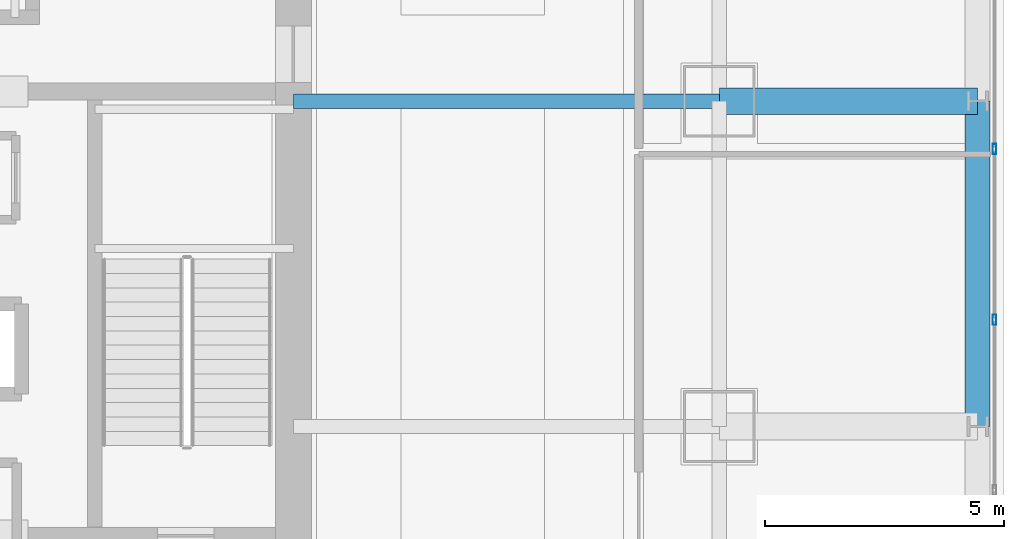
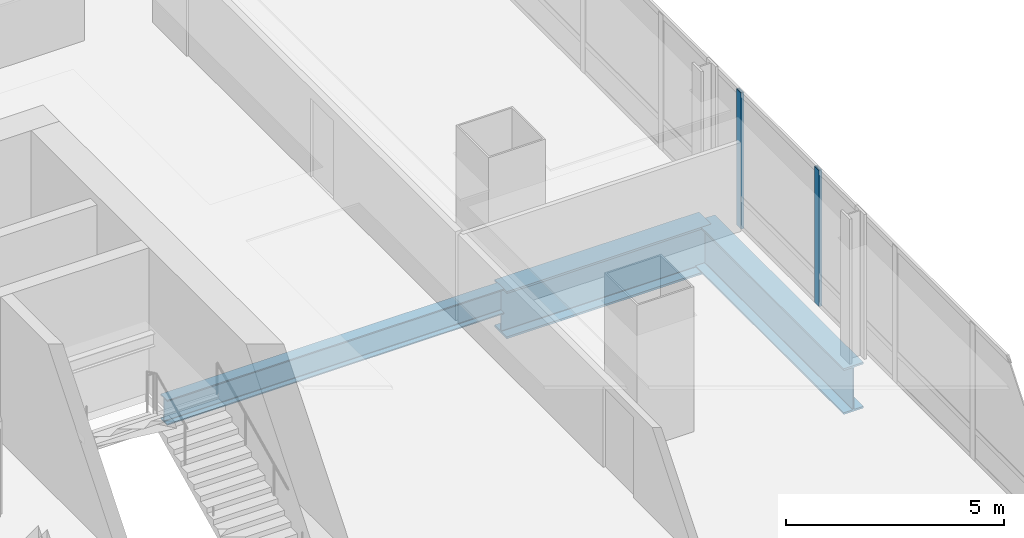
# One storey, part 16 of 34: 3 beams, 2 members, 1 element without a shape of its own.
"""IFC4 building model written with IfcOpenShell, lengths in metres."""

from ifc_helpers import new_model, si_unit, direction, frame, origin, origin_2d, place, context, subcontext, project, spatial, hollow_rectangle, i_section, extrude, material, material_profile, profile_set, type_object, element, aggregate, save


model = new_model("IFC4")

# Units and contexts
model_context = context("Model", 3, precision=1e-05, world=origin(), true_north=direction((0.0, 1.0)))
body_context = subcontext(model_context, "Body", "Model", "MODEL_VIEW")
ifc_project = project(units=[si_unit("LENGTHUNIT", "METRE"), si_unit("AREAUNIT", "SQUARE_METRE"), si_unit("VOLUMEUNIT", "CUBIC_METRE"), si_unit("PLANEANGLEUNIT", "RADIAN"), si_unit("MASSUNIT", "GRAM", prefix="KILO")], contexts=[model_context])

# Site, building, storey
site_placement = place(None, origin())
site = spatial("IfcSite", under=ifc_project, at=site_placement, CompositionType="ELEMENT")
building_placement = place(site_placement, origin())
building = spatial("IfcBuilding", under=site, at=building_placement, Name="Punatoya Terracotta Tower", CompositionType="ELEMENT")
storey_placement = place(building_placement, frame((0.0, 0.0, 105.14990234375)))
storey = spatial("IfcBuildingStorey", under=building, at=storey_placement, Name="L24", CompositionType="ELEMENT", Elevation=105.14990234375)

# Beams
ifc_material_1 = material(Name="Steel S355", Category="steel")
ifc_material_profile_1 = material_profile(ifc_material_1, i_section(OverallWidth=0.300048828125, OverallDepth=0.699951171875, WebThickness=0.01708984375, FlangeThickness=0.031982421875, FilletRadius=0.01806640625, at=origin_2d()))
ifc_profile_set_1 = profile_set([ifc_material_profile_1], Name="Steel S355")
beam_type_1 = type_object("IfcBeamType", Name="BM-PRI-700", PredefinedType="BEAM", material=ifc_profile_set_1)
beam_1_placement = place(storey_placement, frame((10.199951171875, 3.39990234375, -0.58984375), z_axis=(1.0, 0.0, 0.0), x_axis=(0.0, 1.0, 0.0)))
element("IfcBeam", 1, at=beam_1_placement, inside=storey, type_object=beam_type_1, Name="BM-L24-PR-EE", PredefinedType="BEAM", context=body_context, shape_type="SweptSolid", body=[
    extrude(i_section(OverallWidth=0.300048828125, OverallDepth=0.699951171875, WebThickness=0.01708984375, FlangeThickness=0.031982421875, FilletRadius=0.01806640625, at=origin_2d()), origin(), (0.0, 0.0, 1.0), 8.900146484375),
])
ifc_material_2 = material(Name="Steel S460", Category="steel")
ifc_material_profile_2 = material_profile(ifc_material_2, i_section(OverallWidth=0.56005859375, OverallDepth=1.320068359375, WebThickness=0.035888671875, FlangeThickness=0.054931640625, FilletRadius=0.01806640625, at=origin_2d()))
ifc_profile_set_2 = profile_set([ifc_material_profile_2], Name="Steel S460")
beam_type_2 = type_object("IfcBeamType", Name="BM-TG-BLK", PredefinedType="BEAM", material=ifc_profile_set_2)
beam_2_placement = place(storey_placement, frame((19.10009765625, 3.39990234375, -0.89990234375), z_axis=(1.0, 0.0, 0.0), x_axis=(0.0, 1.0, 0.0)))
element("IfcBeam", 2, at=beam_2_placement, inside=storey, type_object=beam_type_2, Name="BM-L24-CANT-E3", PredefinedType="BEAM", context=body_context, shape_type="SweptSolid", body=[
    extrude(i_section(OverallWidth=0.56005859375, OverallDepth=1.320068359375, WebThickness=0.035888671875, FlangeThickness=0.054931640625, FilletRadius=0.01806640625, at=origin_2d()), origin(), (0.0, 0.0, 1.0), 5.39990234375),
])
ifc_material_profile_3 = material_profile(ifc_material_2, i_section(OverallWidth=0.52001953125, OverallDepth=1.280029296875, WebThickness=0.031982421875, FlangeThickness=0.050048828125, FilletRadius=0.01806640625, at=origin_2d()))
ifc_profile_set_3 = profile_set([ifc_material_profile_3], Name="Steel S460")
beam_type_3 = type_object("IfcBeamType", Name="BM-TG-NCK", PredefinedType="BEAM", material=ifc_profile_set_3)
beam_3_placement = place(storey_placement, frame((24.5, -3.39990234375, -0.8798828125), z_axis=(0.0, 1.0, 0.0), x_axis=(-1.0, 0.0, 0.0)))
element("IfcBeam", 3, at=beam_3_placement, inside=storey, type_object=beam_type_3, Name="BM-L24-PER-E2", PredefinedType="BEAM", context=body_context, shape_type="SweptSolid", body=[
    extrude(i_section(OverallWidth=0.52001953125, OverallDepth=1.280029296875, WebThickness=0.031982421875, FlangeThickness=0.050048828125, FilletRadius=0.01806640625, at=origin_2d()), origin(), (0.0, 0.0, 1.0), 6.7998046875),
])

# Curtain wall, members
ifc_material_3 = material(Name="Aluminium 6063-T6 + Double Low-E Glass", Category="aluminium")
curtain_wall_type = type_object("IfcCurtainWallType", Name="CW-M1", PredefinedType="NOTDEFINED", material=ifc_material_3)
curtain_wall_placement = place(storey_placement, origin())
curtain_wall = element("IfcCurtainWall", 4, at=curtain_wall_placement, inside=storey, type_object=curtain_wall_type, Name="L24 Curtain Wall CW-L24-E05-1", PredefinedType="NOTDEFINED")
ifc_material_4 = material(Name="Aluminium 6063-T6", Category="aluminium")
ifc_material_profile_4 = material_profile(ifc_material_4, hollow_rectangle(XDim=0.074951171875, YDim=0.2099609375, WallThickness=0.00439453125, at=origin_2d()))
ifc_profile_set_4 = profile_set([ifc_material_profile_4], Name="Aluminium 6063-T6")
member_type = type_object("IfcMemberType", Name="CW-MUL-M1", PredefinedType="MULLION", material=ifc_profile_set_4)
member_1_placement = place(storey_placement, frame((24.85009765625, -1.16748046875, 0.0), z_axis=(0.0, 0.0, 1.0), x_axis=(1.0, 0.0, 0.0)))
member_1 = element("IfcMember", 5, at=member_1_placement, type_object=member_type, Name="CW-L24-E05-1 Mullion 04", PredefinedType="MULLION", context=body_context, shape_type="SweptSolid", body=[
    extrude(hollow_rectangle(XDim=0.074951171875, YDim=0.2099609375, WallThickness=0.00439453125, at=origin_2d()), origin(), (0.0, 0.0, 1.0), 3.81005859375),
])
member_2_placement = place(storey_placement, frame((24.85009765625, 2.39990234375, 0.0), z_axis=(0.0, 0.0, 1.0), x_axis=(1.0, 0.0, 0.0)))
member_2 = element("IfcMember", 6, at=member_2_placement, type_object=member_type, Name="CW-L24-E05-1 Mullion 05", PredefinedType="MULLION", context=body_context, shape_type="SweptSolid", body=[
    extrude(hollow_rectangle(XDim=0.074951171875, YDim=0.2099609375, WallThickness=0.00439453125, at=origin_2d()), origin(), (0.0, 0.0, 1.0), 3.81005859375),
])
aggregate(curtain_wall, [member_1, member_2])

save(model, "model.ifc")
